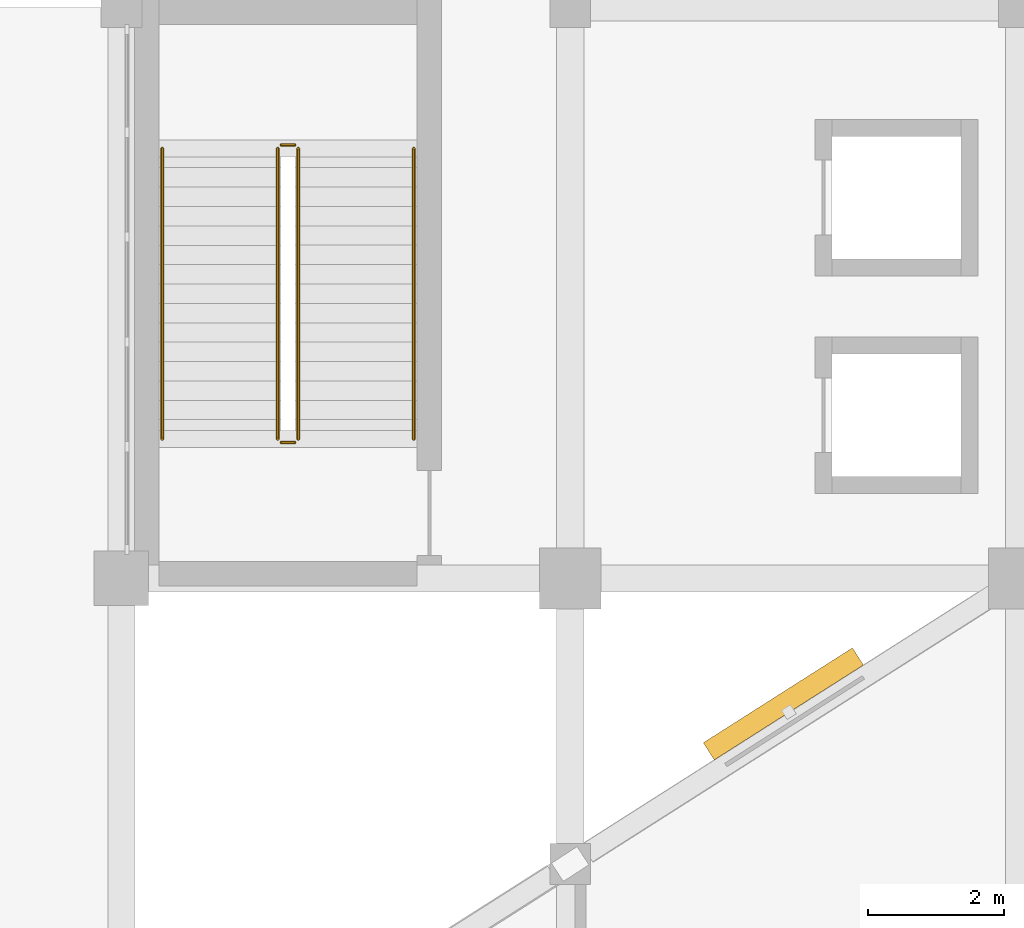
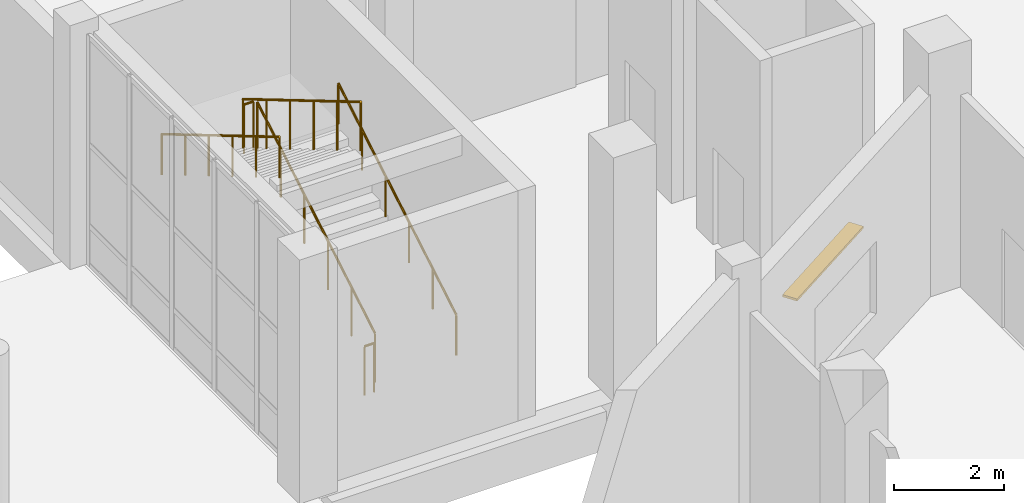
# One storey, part 63 of 64: 6 railings, 1 shading device.
"""IFC4 building model written with IfcOpenShell, lengths in metres."""

from ifc_helpers import new_model, si_unit, direction, frame, origin, origin_2d, place, context, subcontext, project, spatial, rectangle, circle, extrude, material, layer, layer_set, type_object, element, save


model = new_model("IFC4")

# Units and contexts
model_context = context("Model", 3, precision=1e-05, world=origin(), true_north=direction((0.0, 1.0)))
body_context = subcontext(model_context, "Body", "Model", "MODEL_VIEW")
ifc_project = project(units=[si_unit("LENGTHUNIT", "METRE"), si_unit("AREAUNIT", "SQUARE_METRE"), si_unit("VOLUMEUNIT", "CUBIC_METRE"), si_unit("PLANEANGLEUNIT", "RADIAN"), si_unit("MASSUNIT", "GRAM", prefix="KILO")], contexts=[model_context])

# Site, building, storey
site_placement = place(None, origin())
site = spatial("IfcSite", under=ifc_project, at=site_placement, CompositionType="ELEMENT")
building_placement = place(site_placement, origin())
building = spatial("IfcBuilding", under=site, at=building_placement, Name="Qaldarim Faculty of Natural and Applied Sciences", CompositionType="ELEMENT")
storey_placement = place(building_placement, origin())
storey = spatial("IfcBuildingStorey", under=building, at=storey_placement, Name="L00", CompositionType="ELEMENT", Elevation=0.0)

# Railings
ifc_material_1 = material(Name="Architectural stainless steel 316", Category="steel")
railing_type_1 = type_object("IfcRailingType", Name="GuardBalustrade-1100", PredefinedType="BALUSTRADE", material=ifc_material_1)
railing_1_placement = place(storey_placement, frame((154.39990234375, 60.85009765625, 0.169921875)))
element("IfcRailing", 1, at=railing_1_placement, inside=storey, type_object=railing_type_1, Name="ST-C1 L00 stair well guard 1", PredefinedType="BALUSTRADE", context=body_context, shape_type="SweptSolid", body=[
    extrude(circle(Radius=0.02392578125, at=origin_2d()), frame((0.0, 0.0, 1.076171875), z_axis=(0.0, 0.860578001716, 0.509318665436), x_axis=(-1.0, 0.0, 0.0)), (0.0, 0.0, 1.0), 4.967529296875),
    extrude(circle(Radius=0.02099609375, at=origin_2d()), origin(), (0.0, 0.0, 1.0), 1.052001953125),
    extrude(circle(Radius=0.02099609375, at=origin_2d()), frame((0.0, 0.85498046875, 0.506103515625)), (0.0, 0.0, 1.0), 1.052001953125),
    extrude(circle(Radius=0.02099609375, at=origin_2d()), frame((0.0, 1.7099609375, 1.011962890625)), (0.0, 0.0, 1.0), 1.052001953125),
    extrude(circle(Radius=0.02099609375, at=origin_2d()), frame((0.0, 2.56494140625, 1.51806640625)), (0.0, 0.0, 1.0), 1.052001953125),
    extrude(circle(Radius=0.02099609375, at=origin_2d()), frame((0.0, 3.419921875, 2.02392578125)), (0.0, 0.0, 1.0), 1.052001953125),
    extrude(circle(Radius=0.02099609375, at=origin_2d()), frame((0.0, 4.27490234375, 2.530029296875)), (0.0, 0.0, 1.0), 1.052001953125),
])
railing_2_placement = place(storey_placement, frame((154.35009765625, 65.175048828125, 2.699951171875)))
element("IfcRailing", 2, at=railing_2_placement, inside=storey, type_object=railing_type_1, Name="ST-C1 L00 stair well guard 2", PredefinedType="BALUSTRADE", context=body_context, shape_type="SweptSolid", body=[
    extrude(circle(Radius=0.02392578125, at=origin_2d()), frame((0.0, 0.0, 1.076171875), z_axis=(-1.0, 0.0, 0.0), x_axis=(0.0, -1.0, 0.0)), (0.0, 0.0, 1.0), 0.2001953125),
    extrude(circle(Radius=0.02099609375, at=origin_2d()), origin(), (0.0, 0.0, 1.0), 1.052001953125),
    extrude(circle(Radius=0.02099609375, at=origin_2d()), frame((-0.2001953125, 0.0, 0.0)), (0.0, 0.0, 1.0), 1.052001953125),
])
railing_3_placement = place(storey_placement, frame((154.10009765625, 65.125, 2.8701171875)))
element("IfcRailing", 3, at=railing_3_placement, inside=storey, type_object=railing_type_1, Name="ST-C1 L00 stair well guard 3", PredefinedType="BALUSTRADE", context=body_context, shape_type="SweptSolid", body=[
    extrude(circle(Radius=0.02392578125, at=origin_2d()), frame((0.0, 0.0, 1.076171875), z_axis=(0.0, -0.860599543382, 0.509282265478), x_axis=(1.0, 0.0, 0.0)), (0.0, 0.0, 1.0), 4.96728515625),
    extrude(circle(Radius=0.02099609375, at=origin_2d()), origin(), (0.0, 0.0, 1.0), 1.052001953125),
    extrude(circle(Radius=0.02099609375, at=origin_2d()), frame((0.0, -0.85498046875, 0.505859375)), (0.0, 0.0, 1.0), 1.052001953125),
    extrude(circle(Radius=0.02099609375, at=origin_2d()), frame((0.0, -1.7099609375, 1.011962890625)), (0.0, 0.0, 1.0), 1.052001953125),
    extrude(circle(Radius=0.02099609375, at=origin_2d()), frame((0.0, -2.56494140625, 1.517822265625)), (0.0, 0.0, 1.0), 1.052001953125),
    extrude(circle(Radius=0.02099609375, at=origin_2d()), frame((0.0, -3.419921875, 2.02392578125)), (0.0, 0.0, 1.0), 1.052001953125),
    extrude(circle(Radius=0.02099609375, at=origin_2d()), frame((0.0, -4.27490234375, 2.52978515625)), (0.0, 0.0, 1.0), 1.052001953125),
])
railing_4_placement = place(storey_placement, frame((154.35009765625, 60.800048828125, 0.0)))
element("IfcRailing", 4, at=railing_4_placement, inside=storey, type_object=railing_type_1, Name="ST-C1 L00 stair well guard 4", PredefinedType="BALUSTRADE", context=body_context, shape_type="SweptSolid", body=[
    extrude(circle(Radius=0.02392578125, at=origin_2d()), frame((0.0, 0.0, 1.076171875), z_axis=(-1.0, 0.0, 0.0), x_axis=(0.0, -1.0, 0.0)), (0.0, 0.0, 1.0), 0.2001953125),
    extrude(circle(Radius=0.02099609375, at=origin_2d()), origin(), (0.0, 0.0, 1.0), 1.052001953125),
    extrude(circle(Radius=0.02099609375, at=origin_2d()), frame((-0.2001953125, 0.0, 0.0)), (0.0, 0.0, 1.0), 1.052001953125),
])

# Shading device
ifc_material_2 = material(Name="Champagne anodised aluminium AW-6063", Category="aluminium")
ifc_layer = layer(ifc_material_2, 0.050048828125)
ifc_layer_set = layer_set([ifc_layer], Name="Champagne anodised aluminium AW-6063")
shading_device_type = type_object("IfcShadingDeviceType", Name="SolarLouvre-ALU300x50", PredefinedType="JALOUSIE", material=ifc_layer_set)
shading_device_placement = place(storey_placement, frame((161.534912109375, 56.955078125, 2.6748046875), z_axis=(0.0, 0.0, 1.0), x_axis=(0.843775713382, 0.536695952571, 0.0)))
element("IfcShadingDevice", 5, at=shading_device_placement, inside=storey, type_object=shading_device_type, Name="Oblique facade horizontal solar louvre SHD-OBL-NW-L00-2", PredefinedType="JALOUSIE", context=body_context, shape_type="SweptSolid", body=[
    extrude(rectangle(XDim=2.60009765625, YDim=0.300048828125, at=origin_2d()), origin(), (0.0, 0.0, 1.0), 0.050048828125),
])

# Railings
railing_type_2 = type_object("IfcRailingType", Name="StairHandrail-920", PredefinedType="HANDRAIL", material=ifc_material_1)
railing_5_placement = place(storey_placement, frame((156.10009765625, 60.85009765625, 0.169921875)))
element("IfcRailing", 6, at=railing_5_placement, inside=storey, type_object=railing_type_2, Name="ST-C1 L00 stair handrail 1", PredefinedType="HANDRAIL", context=body_context, shape_type="SweptSolid", body=[
    extrude(circle(Radius=0.02392578125, at=origin_2d()), frame((0.0, 0.0, 0.89599609375), z_axis=(0.0, 0.860578001716, 0.509318665436), x_axis=(-1.0, 0.0, 0.0)), (0.0, 0.0, 1.0), 4.967529296875),
    extrude(circle(Radius=0.02099609375, at=origin_2d()), origin(), (0.0, 0.0, 1.0), 0.871826171875),
    extrude(circle(Radius=0.02099609375, at=origin_2d()), frame((0.0, 0.85498046875, 0.506103515625)), (0.0, 0.0, 1.0), 0.871826171875),
    extrude(circle(Radius=0.02099609375, at=origin_2d()), frame((0.0, 1.7099609375, 1.011962890625)), (0.0, 0.0, 1.0), 0.871826171875),
    extrude(circle(Radius=0.02099609375, at=origin_2d()), frame((0.0, 2.56494140625, 1.51806640625)), (0.0, 0.0, 1.0), 0.871826171875),
    extrude(circle(Radius=0.02099609375, at=origin_2d()), frame((0.0, 3.419921875, 2.02392578125)), (0.0, 0.0, 1.0), 0.871826171875),
    extrude(circle(Radius=0.02099609375, at=origin_2d()), frame((0.0, 4.27490234375, 2.530029296875)), (0.0, 0.0, 1.0), 0.871826171875),
])
railing_6_placement = place(storey_placement, frame((152.39990234375, 65.125, 2.8701171875)))
element("IfcRailing", 7, at=railing_6_placement, inside=storey, type_object=railing_type_2, Name="ST-C1 L00 stair handrail 2", PredefinedType="HANDRAIL", context=body_context, shape_type="SweptSolid", body=[
    extrude(circle(Radius=0.02392578125, at=origin_2d()), frame((0.0, 0.0, 0.89599609375), z_axis=(0.0, -0.860599543382, 0.509282265478), x_axis=(1.0, 0.0, 0.0)), (0.0, 0.0, 1.0), 4.96728515625),
    extrude(circle(Radius=0.02099609375, at=origin_2d()), origin(), (0.0, 0.0, 1.0), 0.871826171875),
    extrude(circle(Radius=0.02099609375, at=origin_2d()), frame((0.0, -0.85498046875, 0.505859375)), (0.0, 0.0, 1.0), 0.871826171875),
    extrude(circle(Radius=0.02099609375, at=origin_2d()), frame((0.0, -1.7099609375, 1.011962890625)), (0.0, 0.0, 1.0), 0.871826171875),
    extrude(circle(Radius=0.02099609375, at=origin_2d()), frame((0.0, -2.56494140625, 1.517822265625)), (0.0, 0.0, 1.0), 0.871826171875),
    extrude(circle(Radius=0.02099609375, at=origin_2d()), frame((0.0, -3.419921875, 2.02392578125)), (0.0, 0.0, 1.0), 0.871826171875),
    extrude(circle(Radius=0.02099609375, at=origin_2d()), frame((0.0, -4.27490234375, 2.52978515625)), (0.0, 0.0, 1.0), 0.871826171875),
])

save(model, "model.ifc")
